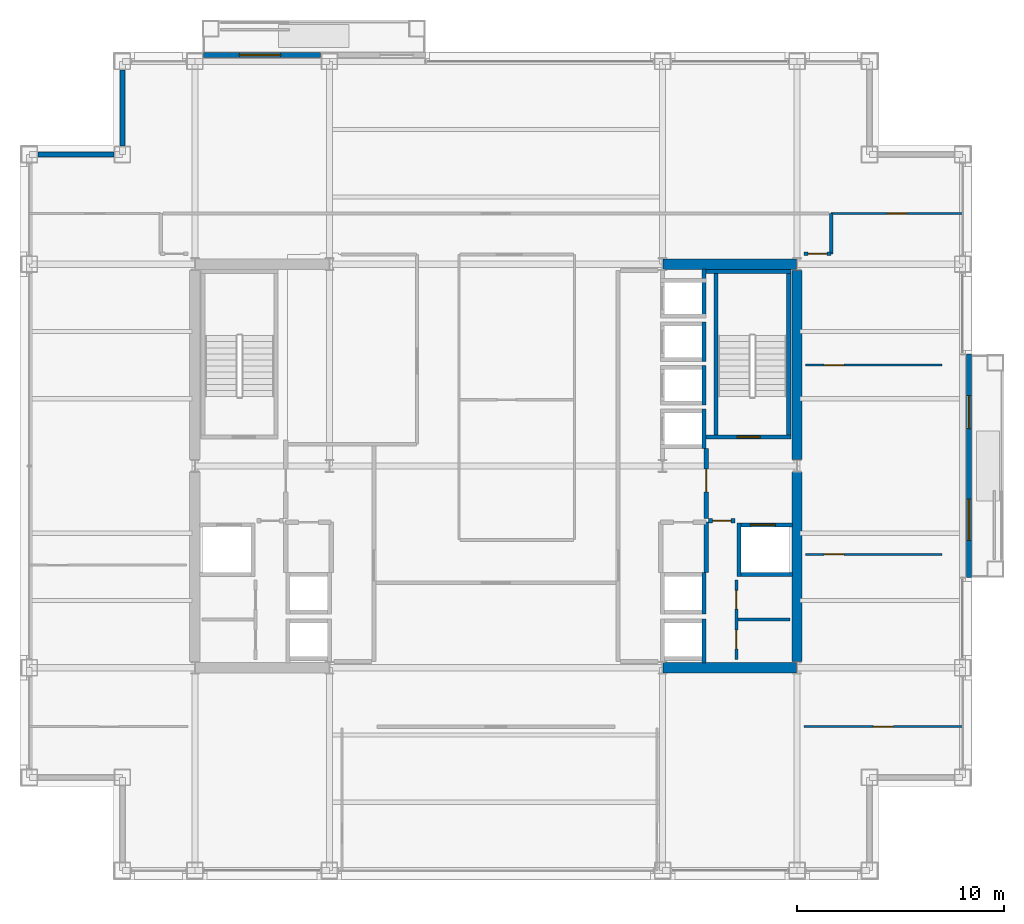
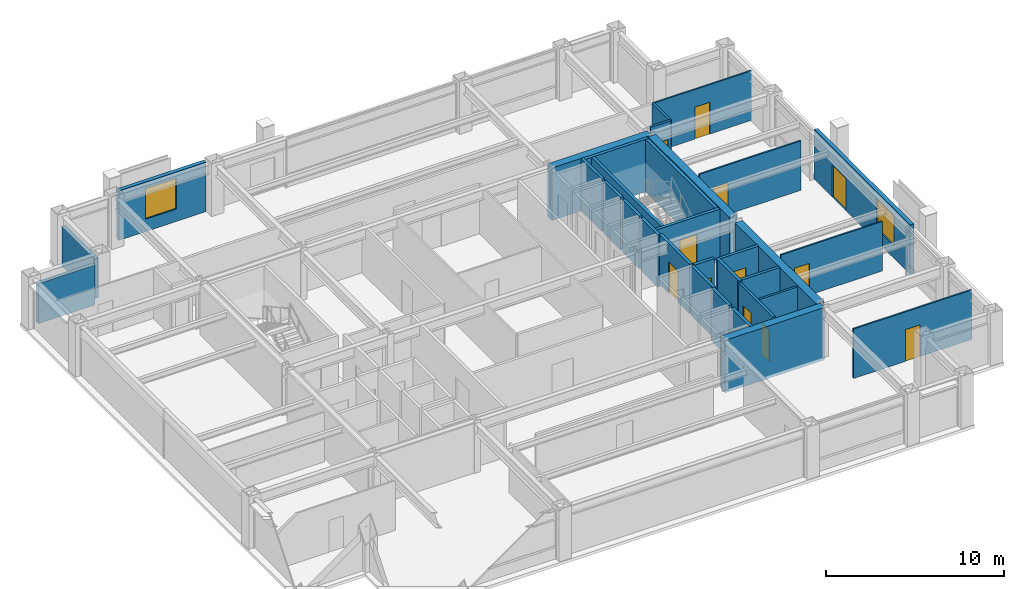
# One storey, part 26 of 29: 32 walls, 12 doors, 2 windows, 14 openings.
"""IFC4 building model written with IfcOpenShell, lengths in metres."""

from ifc_helpers import new_model, si_unit, direction, frame, frame_2d, origin, place, context, subcontext, project, spatial, rectangle, extrude, material, layer, layer_set, type_object, element, fill, save


model = new_model("IFC4")

# Units and contexts
model_context = context("Model", 3, precision=1e-05, world=origin(), true_north=direction((0.0, 1.0)))
body_context = subcontext(model_context, "Body", "Model", "MODEL_VIEW")
ifc_project = project(units=[si_unit("LENGTHUNIT", "METRE"), si_unit("AREAUNIT", "SQUARE_METRE"), si_unit("VOLUMEUNIT", "CUBIC_METRE"), si_unit("PLANEANGLEUNIT", "RADIAN"), si_unit("MASSUNIT", "GRAM", prefix="KILO")], contexts=[model_context])

# Site, building, storey
site_placement = place(None, origin())
site = spatial("IfcSite", under=ifc_project, at=site_placement, CompositionType="ELEMENT")
building_placement = place(site_placement, origin())
building = spatial("IfcBuilding", under=site, at=building_placement, Name="Brelmoor Portico Tower", CompositionType="ELEMENT")
storey_placement = place(building_placement, frame((0.0, 0.0, 127.800048828125)))
storey = spatial("IfcBuildingStorey", under=building, at=storey_placement, Name="L33", CompositionType="ELEMENT", Elevation=127.800048828125)

# Walls
ifc_material_1 = material(Name="Concrete C60", Category="concrete")
ifc_layer_1 = layer(ifc_material_1, 0.5)
ifc_layer_set_1 = layer_set([ifc_layer_1], Name="Concrete C60")
wall_type_1 = type_object("IfcWallType", Name="WL-CORE-500", PredefinedType="SHEAR", material=ifc_layer_set_1)
for number, where, z_axis, x_axis, name in (
    (1, (8.070068359375, -9.75, -0.199951171875), (0.0, 0.0, 1.0), (1.0, 0.0, 0.0), "L33 EC South Shear Wall"),
    (2, (8.070068359375, 9.75, -0.199951171875), (0.0, 0.0, 1.0), (1.0, 0.0, 0.0), "L33 EC North Shear Wall"),
):
    element("IfcWall", number, at=place(storey_placement, frame(where, z_axis=z_axis, x_axis=x_axis)), inside=storey, type_object=wall_type_1, Name=name, PredefinedType="SHEAR", context=body_context, shape_type="SweptSolid", body=[
        extrude(rectangle(XDim=6.4599609375, YDim=0.5, at=frame_2d((3.22998046875, 0.0))), origin(), (0.0, 0.0, 1.0), 3.599853515625),
    ])
for number, where, z_axis, x_axis, name in (
    (3, (14.550048828125, -9.449951171875, -0.199951171875), (0.0, 0.0, 1.0), (0.0, 1.0, 0.0), "L33 EC Outer South Shear Wall"),
    (4, (14.550048828125, 0.300048828125, -0.199951171875), (0.0, 0.0, 1.0), (0.0, 1.0, 0.0), "L33 EC Outer North Shear Wall"),
):
    element("IfcWall", number, at=place(storey_placement, frame(where, z_axis=z_axis, x_axis=x_axis)), inside=storey, type_object=wall_type_1, Name=name, PredefinedType="SHEAR", context=body_context, shape_type="SweptSolid", body=[
        extrude(rectangle(XDim=9.14990234375, YDim=0.5, at=frame_2d((4.574951171875, 0.0))), origin(), (0.0, 0.0, 1.0), 3.599853515625),
    ])

# Wall, opening, window
ifc_material_2 = material(Name="Precast Concrete C40 Insulated Facade Wall", Category="concrete")
ifc_layer_2 = layer(ifc_material_2, 0.25)
ifc_layer_set_2 = layer_set([ifc_layer_2], Name="Precast Concrete C40 Insulated Facade Wall")
wall_type_2 = type_object("IfcWallType", Name="WL-EXT-250", PredefinedType="STANDARD", material=ifc_layer_set_2)
wall_1_placement = place(storey_placement, frame((-14.1298828125, 19.860107421875, 0.0), z_axis=(0.0, 0.0, 1.0), x_axis=(1.0, 0.0, 0.0)))
wall_1 = element("IfcWall", 5, at=wall_1_placement, inside=storey, type_object=wall_type_2, Name="L33 Loggia Threshold Wall N-1", PredefinedType="STANDARD", context=body_context, shape_type="SweptSolid", body=[
    extrude(rectangle(XDim=5.659912109375, YDim=0.25, at=frame_2d((2.830078125, 0.0))), origin(), (0.0, 0.0, 1.0), 3.39990234375),
])
opening_1_placement = place(wall_1_placement, frame((1.72998046875, 0.0, 0.85009765625)))
opening_1 = element("IfcOpeningElement", 6, at=opening_1_placement, cuts=wall_1, Name="Opening W-03", PredefinedType="OPENING", context=body_context, shape_type="SweptSolid", body=[
    extrude(rectangle(XDim=2.0, YDim=2.10009765625, at=frame_2d((1.0, 1.050048828125))), frame((0.0, 0.135009765625, 0.0), z_axis=(0.0, -1.0, 0.0), x_axis=(1.0, 0.0, 0.0)), (0.0, 0.0, 1.0), 0.27001953125),
])
ifc_material_3 = material(Name="Thermally Broken Aluminium Low-E Window", Category="aluminium")
window_type = type_object("IfcWindowType", Name="WN-LOGGIA-2000x2100", PartitioningType="SINGLE_PANEL", PredefinedType="WINDOW", material=ifc_material_3)
window_1_placement = place(opening_1_placement, origin())
window_1 = element("IfcWindow", 7, at=window_1_placement, inside=storey, type_object=window_type, Name="L33 Loggia Window N", OverallHeight=2.10009765625, OverallWidth=2.0, PartitioningType="SINGLE_PANEL", PredefinedType="WINDOW", context=body_context, shape_type="SweptSolid", body=[
    extrude(rectangle(XDim=2.0, YDim=2.10009765625, at=frame_2d((1.0, 1.050048828125))), frame((0.0, 0.030029296875, 0.0), z_axis=(0.0, -1.0, 0.0), x_axis=(1.0, 0.0, 0.0)), (0.0, 0.0, 1.0), 0.06005859375),
])
fill(opening_1, window_1)

# Wall, openings, door, window
wall_2_placement = place(storey_placement, frame((22.860107421875, -5.39990234375, 0.0), z_axis=(0.0, 0.0, 1.0), x_axis=(0.0, 1.0, 0.0)))
wall_2 = element("IfcWall", 8, at=wall_2_placement, inside=storey, type_object=wall_type_2, Name="L33 Loggia Threshold Wall E-1", PredefinedType="STANDARD", context=body_context, shape_type="SweptSolid", body=[
    extrude(rectangle(XDim=10.7998046875, YDim=0.25, at=frame_2d((5.39990234375, 0.0))), origin(), (0.0, 0.0, 1.0), 3.39990234375),
])
opening_2_placement = place(wall_2_placement, frame((7.199951171875, 0.0, 0.0)))
opening_2 = element("IfcOpeningElement", 9, at=opening_2_placement, cuts=wall_2, Name="Opening D-TB1", PredefinedType="OPENING", context=body_context, shape_type="SweptSolid", body=[
    extrude(rectangle(XDim=1.60009765625, YDim=2.199951171875, at=frame_2d((0.800048828125, 1.10009765625))), frame((0.0, 0.135009765625, 0.0), z_axis=(0.0, -1.0, 0.0), x_axis=(1.0, 0.0, 0.0)), (0.0, 0.0, 1.0), 0.27001953125),
])
opening_3_placement = place(wall_2_placement, frame((1.800048828125, 0.0, 0.85009765625)))
opening_3 = element("IfcOpeningElement", 10, at=opening_3_placement, cuts=wall_2, Name="Opening W-03", PredefinedType="OPENING", context=body_context, shape_type="SweptSolid", body=[
    extrude(rectangle(XDim=2.0, YDim=2.10009765625, at=frame_2d((1.0, 1.050048828125))), frame((0.0, 0.135009765625, 0.0), z_axis=(0.0, -1.0, 0.0), x_axis=(1.0, 0.0, 0.0)), (0.0, 0.0, 1.0), 0.27001953125),
])
ifc_material_4 = material(Name="Double-Leaf Thermally Broken Terrace Door", Category="aluminium")
door_type_1 = type_object("IfcDoorType", Name="DR-BALCONY-1600", OperationType="NOTDEFINED", PredefinedType="DOOR", material=ifc_material_4)
door_1_placement = place(opening_2_placement, origin())
door_1 = element("IfcDoor", 11, at=door_1_placement, inside=storey, type_object=door_type_1, Name="D-1459 L33 Tree Balcony Double Door E", OperationType="DOUBLE_DOOR_SINGLE_SWING", OverallHeight=2.199951171875, OverallWidth=1.60009765625, PredefinedType="DOOR", context=body_context, shape_type="SweptSolid", body=[
    extrude(rectangle(XDim=1.60009765625, YDim=2.199951171875, at=frame_2d((0.800048828125, 1.10009765625))), frame((0.0, 0.02490234375, 0.0), z_axis=(0.0, -1.0, 0.0), x_axis=(1.0, 0.0, 0.0)), (0.0, 0.0, 1.0), 0.050048828125),
])
fill(opening_2, door_1)
window_2_placement = place(opening_3_placement, origin())
window_2 = element("IfcWindow", 12, at=window_2_placement, inside=storey, type_object=window_type, Name="L33 Loggia Window E", OverallHeight=2.10009765625, OverallWidth=2.0, PartitioningType="SINGLE_PANEL", PredefinedType="WINDOW", context=body_context, shape_type="SweptSolid", body=[
    extrude(rectangle(XDim=2.0, YDim=2.10009765625, at=frame_2d((1.0, 1.050048828125))), frame((0.0, 0.030029296875, 0.0), z_axis=(0.0, -1.0, 0.0), x_axis=(1.0, 0.0, 0.0)), (0.0, 0.0, 1.0), 0.06005859375),
])
fill(opening_3, window_2)

# Walls
for number, where, z_axis, x_axis, name in (
    (13, (-22.139892578125, 15.050048828125, 0.0), (0.0, 0.0, 1.0), (1.0, 0.0, 0.0), "L33 Corner Notch Facade Wall NNWH1"),
    (14, (-18.050048828125, 15.4599609375, 0.0), (0.0, 0.0, 1.0), (0.0, 1.0, 0.0), "L33 Corner Notch Facade Wall NNWV1"),
):
    element("IfcWall", number, at=place(storey_placement, frame(where, z_axis=z_axis, x_axis=x_axis)), inside=storey, type_object=wall_type_2, Name=name, PredefinedType="STANDARD", context=body_context, shape_type="SweptSolid", body=[
        extrude(rectangle(XDim=3.679931640625, YDim=0.25, at=frame_2d((1.83984375, 0.0))), origin(), (0.0, 0.0, 1.0), 2.75),
    ])

# Wall, opening, door
ifc_material_5 = material(Name="Demountable Glazed Office Partition", Category="aluminium")
ifc_layer_3 = layer(ifc_material_5, 0.10009765625)
ifc_layer_set_3 = layer_set([ifc_layer_3], Name="Demountable Glazed Office Partition")
wall_type_3 = type_object("IfcWallType", Name="WL-PART-100", PredefinedType="PARTITIONING", material=ifc_layer_set_3)
wall_3_placement = place(storey_placement, frame((16.199951171875, 12.199951171875, 0.0), z_axis=(0.0, 0.0, 1.0), x_axis=(1.0, 0.0, 0.0)))
wall_3 = element("IfcWall", 15, at=wall_3_placement, inside=storey, type_object=wall_type_3, Name="L33 North Wing Closure ER", PredefinedType="PARTITIONING", context=body_context, shape_type="SweptSolid", body=[
    extrude(rectangle(XDim=6.360107421875, YDim=0.10009765625, at=frame_2d((3.18017578125, 0.0))), origin(), (0.0, 0.0, 1.0), 3.39990234375),
])
opening_4_placement = place(wall_3_placement, frame((2.699951171875, 0.0, 0.0)))
opening_4 = element("IfcOpeningElement", 16, at=opening_4_placement, cuts=wall_3, Name="Opening D-IN2", PredefinedType="OPENING", context=body_context, shape_type="SweptSolid", body=[
    extrude(rectangle(XDim=0.9599609375, YDim=2.179931640625, at=frame_2d((0.47998046875, 1.08984375))), frame((0.0, 0.06005859375, 0.0), z_axis=(0.0, -1.0, 0.0), x_axis=(1.0, 0.0, 0.0)), (0.0, 0.0, 1.0), 0.1201171875),
])
ifc_material_6 = material(Name="Lacquered Timber Suite Door", Category="wood")
door_type_2 = type_object("IfcDoorType", Name="DR-INT-950", OperationType="NOTDEFINED", PredefinedType="DOOR", material=ifc_material_6)
door_2_placement = place(opening_4_placement, origin())
door_2 = element("IfcDoor", 17, at=door_2_placement, inside=storey, type_object=door_type_2, Name="D-1449 L33 ER Wing North Suite Door", OperationType="SINGLE_SWING_RIGHT", OverallHeight=2.179931640625, OverallWidth=0.9599609375, PredefinedType="DOOR", context=body_context, shape_type="SweptSolid", body=[
    extrude(rectangle(XDim=0.9599609375, YDim=2.179931640625, at=frame_2d((0.47998046875, 1.08984375))), frame((0.0, 0.02490234375, 0.0), z_axis=(0.0, -1.0, 0.0), x_axis=(1.0, 0.0, 0.0)), (0.0, 0.0, 1.0), 0.050048828125),
])
fill(opening_4, door_2)

wall_4_placement = place(storey_placement, frame((14.8798828125, -12.60009765625, 0.0), z_axis=(0.0, 0.0, 1.0), x_axis=(1.0, 0.0, 0.0)))
wall_4 = element("IfcWall", 18, at=wall_4_placement, inside=storey, type_object=wall_type_3, Name="L33 South Wing Closure ER", PredefinedType="PARTITIONING", context=body_context, shape_type="SweptSolid", body=[
    extrude(rectangle(XDim=7.68017578125, YDim=0.10009765625, at=frame_2d((3.840087890625, 0.0))), origin(), (0.0, 0.0, 1.0), 3.39990234375),
])
opening_5_placement = place(wall_4_placement, frame((3.360107421875, 0.0, 0.0)))
opening_5 = element("IfcOpeningElement", 19, at=opening_5_placement, cuts=wall_4, Name="Opening D-IN2", PredefinedType="OPENING", context=body_context, shape_type="SweptSolid", body=[
    extrude(rectangle(XDim=0.9599609375, YDim=2.179931640625, at=frame_2d((0.47998046875, 1.08984375))), frame((0.0, 0.06005859375, 0.0), z_axis=(0.0, -1.0, 0.0), x_axis=(1.0, 0.0, 0.0)), (0.0, 0.0, 1.0), 0.1201171875),
])
door_3_placement = place(opening_5_placement, origin())
door_3 = element("IfcDoor", 20, at=door_3_placement, inside=storey, type_object=door_type_2, Name="D-1457 L33 ER Wing South Suite Door", OperationType="SINGLE_SWING_LEFT", OverallHeight=2.179931640625, OverallWidth=0.9599609375, PredefinedType="DOOR", context=body_context, shape_type="SweptSolid", body=[
    extrude(rectangle(XDim=0.9599609375, YDim=2.179931640625, at=frame_2d((0.47998046875, 1.08984375))), frame((0.0, 0.02490234375, 0.0), z_axis=(0.0, -1.0, 0.0), x_axis=(1.0, 0.0, 0.0)), (0.0, 0.0, 1.0), 0.050048828125),
])
fill(opening_5, door_3)

wall_5_placement = place(storey_placement, frame((14.9599609375, -4.27001953125, 0.0), z_axis=(0.0, 0.0, 1.0), x_axis=(1.0, 0.0, 0.0)))
wall_5 = element("IfcWall", 21, at=wall_5_placement, inside=storey, type_object=wall_type_3, Name="L33 E Wing Partition 1", PredefinedType="PARTITIONING", context=body_context, shape_type="SweptSolid", body=[
    extrude(rectangle(XDim=6.590087890625, YDim=0.10009765625, at=frame_2d((3.294921875, 0.0))), origin(), (0.0, 0.0, 1.0), 3.39990234375),
])
opening_6_placement = place(wall_5_placement, frame((0.89990234375, 0.0, 0.0)))
opening_6 = element("IfcOpeningElement", 22, at=opening_6_placement, cuts=wall_5, Name="Opening D-IN2", PredefinedType="OPENING", context=body_context, shape_type="SweptSolid", body=[
    extrude(rectangle(XDim=0.9599609375, YDim=2.179931640625, at=frame_2d((0.47998046875, 1.08984375))), frame((0.0, 0.06005859375, 0.0), z_axis=(0.0, -1.0, 0.0), x_axis=(1.0, 0.0, 0.0)), (0.0, 0.0, 1.0), 0.1201171875),
])
door_4_placement = place(opening_6_placement, origin())
door_4 = element("IfcDoor", 23, at=door_4_placement, inside=storey, type_object=door_type_2, Name="D-1461 L33 E Wing Suite Connecting Door 1", OperationType="SINGLE_SWING_LEFT", OverallHeight=2.179931640625, OverallWidth=0.9599609375, PredefinedType="DOOR", context=body_context, shape_type="SweptSolid", body=[
    extrude(rectangle(XDim=0.9599609375, YDim=2.179931640625, at=frame_2d((0.47998046875, 1.08984375))), frame((0.0, 0.02490234375, 0.0), z_axis=(0.0, -1.0, 0.0), x_axis=(1.0, 0.0, 0.0)), (0.0, 0.0, 1.0), 0.050048828125),
])
fill(opening_6, door_4)

wall_6_placement = place(storey_placement, frame((14.9599609375, 4.8701171875, 0.0), z_axis=(0.0, 0.0, 1.0), x_axis=(1.0, 0.0, 0.0)))
wall_6 = element("IfcWall", 24, at=wall_6_placement, inside=storey, type_object=wall_type_3, Name="L33 E Wing Partition 2", PredefinedType="PARTITIONING", context=body_context, shape_type="SweptSolid", body=[
    extrude(rectangle(XDim=6.590087890625, YDim=0.10009765625, at=frame_2d((3.294921875, 0.0))), origin(), (0.0, 0.0, 1.0), 3.39990234375),
])
opening_7_placement = place(wall_6_placement, frame((0.89990234375, 0.0, 0.0)))
opening_7 = element("IfcOpeningElement", 25, at=opening_7_placement, cuts=wall_6, Name="Opening D-IN2", PredefinedType="OPENING", context=body_context, shape_type="SweptSolid", body=[
    extrude(rectangle(XDim=0.9599609375, YDim=2.179931640625, at=frame_2d((0.47998046875, 1.08984375))), frame((0.0, 0.06005859375, 0.0), z_axis=(0.0, -1.0, 0.0), x_axis=(1.0, 0.0, 0.0)), (0.0, 0.0, 1.0), 0.1201171875),
])
door_5_placement = place(opening_7_placement, origin())
door_5 = element("IfcDoor", 26, at=door_5_placement, inside=storey, type_object=door_type_2, Name="D-1462 L33 E Wing Suite Connecting Door 2", OperationType="SINGLE_SWING_RIGHT", OverallHeight=2.179931640625, OverallWidth=0.9599609375, PredefinedType="DOOR", context=body_context, shape_type="SweptSolid", body=[
    extrude(rectangle(XDim=0.9599609375, YDim=2.179931640625, at=frame_2d((0.47998046875, 1.08984375))), frame((0.0, 0.02490234375, 0.0), z_axis=(0.0, -1.0, 0.0), x_axis=(1.0, 0.0, 0.0)), (0.0, 0.0, 1.0), 0.050048828125),
])
fill(opening_7, door_5)

# Wall
ifc_material_7 = material(Name="Insulated Stud Suite Partition", Category="gypsum")
ifc_layer_4 = layer(ifc_material_7, 0.139892578125)
ifc_layer_set_4 = layer_set([ifc_layer_4], Name="Insulated Stud Suite Partition")
wall_type_4 = type_object("IfcWallType", Name="WL-PART-140", PredefinedType="PARTITIONING", material=ifc_layer_set_4)
wall_7_placement = place(storey_placement, frame((11.699951171875, -7.425048828125, 0.0), z_axis=(0.0, 0.0, 1.0), x_axis=(1.0, 0.0, 0.0)))
element("IfcWall", 27, at=wall_7_placement, inside=storey, type_object=wall_type_4, Name="L33 E Core WC Divider 1", PredefinedType="PARTITIONING", context=body_context, shape_type="SweptSolid", body=[
    extrude(rectangle(XDim=2.5, YDim=0.139892578125, at=frame_2d((1.25, 0.0))), origin(), (0.0, 0.0, 1.0), 3.39990234375),
])

# Wall, openings, doors
ifc_material_8 = material(Name="Twin-Frame Acoustic Partition", Category="gypsum")
ifc_layer_5 = layer(ifc_material_8, 0.159912109375)
ifc_layer_set_5 = layer_set([ifc_layer_5], Name="Twin-Frame Acoustic Partition")
wall_type_5 = type_object("IfcWallType", Name="WL-PART-160", PredefinedType="PARTITIONING", material=ifc_layer_set_5)
wall_8_placement = place(storey_placement, frame((11.6201171875, -9.35009765625, 0.0), z_axis=(0.0, 0.0, 1.0), x_axis=(0.0, 1.0, 0.0)))
wall_8 = element("IfcWall", 28, at=wall_8_placement, inside=storey, type_object=wall_type_5, Name="L33 E Core Service Front Wall", PredefinedType="PARTITIONING", context=body_context, shape_type="SweptSolid", body=[
    extrude(rectangle(XDim=3.85009765625, YDim=0.159912109375, at=frame_2d((1.925048828125, 0.0))), origin(), (0.0, 0.0, 1.0), 3.39990234375),
])
opening_8_placement = place(wall_8_placement, frame((0.512451171875, 0.0, 0.0)))
opening_8 = element("IfcOpeningElement", 29, at=opening_8_placement, cuts=wall_8, Name="Opening D-IN1", PredefinedType="OPENING", context=body_context, shape_type="SweptSolid", body=[
    extrude(rectangle(XDim=0.89990234375, YDim=2.14990234375, at=frame_2d((0.449951171875, 1.074951171875))), frame((0.0, 0.08984375, 0.0), z_axis=(0.0, -1.0, 0.0), x_axis=(1.0, 0.0, 0.0)), (0.0, 0.0, 1.0), 0.179931640625),
])
opening_9_placement = place(wall_8_placement, frame((2.4375, 0.0, 0.0)))
opening_9 = element("IfcOpeningElement", 30, at=opening_9_placement, cuts=wall_8, Name="Opening D-IN1", PredefinedType="OPENING", context=body_context, shape_type="SweptSolid", body=[
    extrude(rectangle(XDim=0.89990234375, YDim=2.14990234375, at=frame_2d((0.449951171875, 1.074951171875))), frame((0.0, 0.08984375, 0.0), z_axis=(0.0, -1.0, 0.0), x_axis=(1.0, 0.0, 0.0)), (0.0, 0.0, 1.0), 0.179931640625),
])
door_type_3 = type_object("IfcDoorType", Name="DR-INT-900", OperationType="NOTDEFINED", PredefinedType="DOOR", material=ifc_material_6)
door_6_placement = place(opening_8_placement, origin())
door_6 = element("IfcDoor", 31, at=door_6_placement, inside=storey, type_object=door_type_3, Name="D-1436 L33 E Male WC Door", OperationType="SINGLE_SWING_RIGHT", OverallHeight=2.14990234375, OverallWidth=0.89990234375, PredefinedType="DOOR", context=body_context, shape_type="SweptSolid", body=[
    extrude(rectangle(XDim=0.89990234375, YDim=2.14990234375, at=frame_2d((0.449951171875, 1.074951171875))), frame((0.0, 0.02490234375, 0.0), z_axis=(0.0, -1.0, 0.0), x_axis=(1.0, 0.0, 0.0)), (0.0, 0.0, 1.0), 0.050048828125),
])
fill(opening_8, door_6)
door_7_placement = place(opening_9_placement, origin())
door_7 = element("IfcDoor", 32, at=door_7_placement, inside=storey, type_object=door_type_3, Name="D-1437 L33 E Female WC Door", OperationType="SINGLE_SWING_LEFT", OverallHeight=2.14990234375, OverallWidth=0.89990234375, PredefinedType="DOOR", context=body_context, shape_type="SweptSolid", body=[
    extrude(rectangle(XDim=0.89990234375, YDim=2.14990234375, at=frame_2d((0.449951171875, 1.074951171875))), frame((0.0, 0.02490234375, 0.0), z_axis=(0.0, -1.0, 0.0), x_axis=(1.0, 0.0, 0.0)), (0.0, 0.0, 1.0), 0.050048828125),
])
fill(opening_9, door_7)

# Wall, opening, door
wall_9_placement = place(storey_placement, frame((14.8798828125, 10.25, 0.0), z_axis=(0.0, 0.0, 1.0), x_axis=(1.0, 0.0, 0.0)))
wall_9 = element("IfcWall", 33, at=wall_9_placement, inside=storey, type_object=wall_type_5, Name="L33 E Wing North Entry Wall", PredefinedType="PARTITIONING", context=body_context, shape_type="SweptSolid", body=[
    extrude(rectangle(XDim=1.320068359375, YDim=0.159912109375, at=frame_2d((0.66015625, 0.0))), origin(), (0.0, 0.0, 1.0), 3.39990234375),
])
opening_10_placement = place(wall_9_placement, frame((0.2099609375, 0.0, 0.0)))
opening_10 = element("IfcOpeningElement", 34, at=opening_10_placement, cuts=wall_9, Name="Opening D-IN1", PredefinedType="OPENING", context=body_context, shape_type="SweptSolid", body=[
    extrude(rectangle(XDim=0.89990234375, YDim=2.14990234375, at=frame_2d((0.449951171875, 1.074951171875))), frame((0.0, 0.08984375, 0.0), z_axis=(0.0, -1.0, 0.0), x_axis=(1.0, 0.0, 0.0)), (0.0, 0.0, 1.0), 0.179931640625),
])
door_8_placement = place(opening_10_placement, origin())
door_8 = element("IfcDoor", 35, at=door_8_placement, inside=storey, type_object=door_type_3, Name="D-1463 L33 E Wing Entry Door", OperationType="SINGLE_SWING_RIGHT", OverallHeight=2.14990234375, OverallWidth=0.89990234375, PredefinedType="DOOR", context=body_context, shape_type="SweptSolid", body=[
    extrude(rectangle(XDim=0.89990234375, YDim=2.14990234375, at=frame_2d((0.449951171875, 1.074951171875))), frame((0.0, 0.02490234375, 0.0), z_axis=(0.0, -1.0, 0.0), x_axis=(1.0, 0.0, 0.0)), (0.0, 0.0, 1.0), 0.050048828125),
])
fill(opening_10, door_8)

# Wall
wall_10_placement = place(storey_placement, frame((16.199951171875, 10.25, 0.0), z_axis=(0.0, 0.0, 1.0), x_axis=(0.0, 1.0, 0.0)))
element("IfcWall", 36, at=wall_10_placement, inside=storey, type_object=wall_type_5, Name="L33 E Corridor End Closure", PredefinedType="PARTITIONING", context=body_context, shape_type="SweptSolid", body=[
    extrude(rectangle(XDim=1.949951171875, YDim=0.159912109375, at=frame_2d((0.97509765625, 0.0))), origin(), (0.0, 0.0, 1.0), 3.39990234375),
])

# Wall, opening, door
ifc_material_9 = material(Name="Double-Stud Gypsum Fire Partition", Category="gypsum")
ifc_layer_6 = layer(ifc_material_9, 0.199951171875)
ifc_layer_set_6 = layer_set([ifc_layer_6], Name="Double-Stud Gypsum Fire Partition")
wall_type_6 = type_object("IfcWallType", Name="WL-PART-200", PredefinedType="PARTITIONING", material=ifc_layer_set_6)
wall_11_placement = place(storey_placement, frame((10.159912109375, -2.550048828125, 0.0), z_axis=(0.0, 0.0, 1.0), x_axis=(0.0, 1.0, 0.0)))
wall_11 = element("IfcWall", 37, at=wall_11_placement, inside=storey, type_object=wall_type_6, Name="L33 E Firefighting Lobby Wall", PredefinedType="PARTITIONING", context=body_context, shape_type="SweptSolid", body=[
    extrude(rectangle(XDim=3.400146484375, YDim=0.199951171875, at=frame_2d((1.7001953125, 0.0))), origin(), (0.0, 0.0, 1.0), 3.39990234375),
])
opening_11_placement = place(wall_11_placement, frame((1.300048828125, 0.0, 0.0)))
opening_11 = element("IfcOpeningElement", 38, at=opening_11_placement, cuts=wall_11, Name="Opening D-FR1", PredefinedType="OPENING", context=body_context, shape_type="SweptSolid", body=[
    extrude(rectangle(XDim=1.10009765625, YDim=2.14990234375, at=frame_2d((0.550048828125, 1.074951171875))), frame((0.0, 0.10986328125, 0.0), z_axis=(0.0, -1.0, 0.0), x_axis=(1.0, 0.0, 0.0)), (0.0, 0.0, 1.0), 0.219970703125),
])
ifc_material_10 = material(Name="Painted Galvanised Steel Fire Door", Category="steel")
door_type_4 = type_object("IfcDoorType", Name="DR-FIRE-1100", OperationType="NOTDEFINED", PredefinedType="DOOR", material=ifc_material_10)
door_9_placement = place(opening_11_placement, origin())
door_9 = element("IfcDoor", 39, at=door_9_placement, inside=storey, type_object=door_type_4, Name="D-1444 L33 E Firefighting Lobby Door", OperationType="SINGLE_SWING_LEFT", OverallHeight=2.14990234375, OverallWidth=1.10009765625, PredefinedType="DOOR", context=body_context, shape_type="SweptSolid", body=[
    extrude(rectangle(XDim=1.10009765625, YDim=2.14990234375, at=frame_2d((0.550048828125, 1.074951171875))), frame((0.0, 0.02490234375, 0.0), z_axis=(0.0, -1.0, 0.0), x_axis=(1.0, 0.0, 0.0)), (0.0, 0.0, 1.0), 0.050048828125),
])
fill(opening_11, door_9)

wall_12_placement = place(storey_placement, frame((10.280029296875, -2.64990234375, 0.0), z_axis=(0.0, 0.0, 1.0), x_axis=(1.0, 0.0, 0.0)))
wall_12 = element("IfcWall", 40, at=wall_12_placement, inside=storey, type_object=wall_type_6, Name="L33 E Firefighting Lobby South Wall", PredefinedType="PARTITIONING", context=body_context, shape_type="SweptSolid", body=[
    extrude(rectangle(XDim=1.27001953125, YDim=0.199951171875, at=frame_2d((0.635009765625, 0.0))), origin(), (0.0, 0.0, 1.0), 3.39990234375),
])
opening_12_placement = place(wall_12_placement, frame((0.18505859375, 0.0, 0.0)))
opening_12 = element("IfcOpeningElement", 41, at=opening_12_placement, cuts=wall_12, Name="Opening D-IN1", PredefinedType="OPENING", context=body_context, shape_type="SweptSolid", body=[
    extrude(rectangle(XDim=0.89990234375, YDim=2.14990234375, at=frame_2d((0.449951171875, 1.074951171875))), frame((0.0, 0.10986328125, 0.0), z_axis=(0.0, -1.0, 0.0), x_axis=(1.0, 0.0, 0.0)), (0.0, 0.0, 1.0), 0.219970703125),
])
door_10_placement = place(opening_12_placement, origin())
door_10 = element("IfcDoor", 42, at=door_10_placement, inside=storey, type_object=door_type_3, Name="D-1438 L33 E Core Service Vestibule Door", OperationType="SINGLE_SWING_RIGHT", OverallHeight=2.14990234375, OverallWidth=0.89990234375, PredefinedType="DOOR", context=body_context, shape_type="SweptSolid", body=[
    extrude(rectangle(XDim=0.89990234375, YDim=2.14990234375, at=frame_2d((0.449951171875, 1.074951171875))), frame((0.0, 0.02490234375, 0.0), z_axis=(0.0, -1.0, 0.0), x_axis=(1.0, 0.0, 0.0)), (0.0, 0.0, 1.0), 0.050048828125),
])
fill(opening_12, door_10)

# Walls
wall_13_placement = place(storey_placement, frame((10.159912109375, -5.159912109375, 0.0), z_axis=(0.0, 0.0, 1.0), x_axis=(0.0, 1.0, 0.0)))
element("IfcWall", 43, at=wall_13_placement, inside=storey, type_object=wall_type_6, Name="L33 E Electrical Switchgear Closet Outer Wall", PredefinedType="PARTITIONING", context=body_context, shape_type="SweptSolid", body=[
    extrude(rectangle(XDim=2.43994140625, YDim=0.199951171875, at=frame_2d((1.219970703125, 0.0))), origin(), (0.0, 0.0, 1.0), 3.39990234375),
])
ifc_material_11 = material(Name="Precast Concrete C40", Category="concrete")
ifc_layer_7 = layer(ifc_material_11, 0.18994140625)
ifc_layer_set_7 = layer_set([ifc_layer_7], Name="Precast Concrete C40")
wall_type_7 = type_object("IfcWallType", Name="WL-SHAFT-180", PredefinedType="SOLIDWALL", material=ifc_layer_set_7)
wall_14_placement = place(storey_placement, frame((10.054931640625, 0.85009765625, -0.199951171875), z_axis=(0.0, 0.0, 1.0), x_axis=(0.0, 1.0, 0.0)))
element("IfcWall", 44, at=wall_14_placement, inside=storey, type_object=wall_type_7, Name="L33 Lift PM1 Hoistway Back Wall", PredefinedType="SOLIDWALL", context=body_context, shape_type="SweptSolid", body=[
    extrude(rectangle(XDim=1.89990234375, YDim=0.18994140625, at=frame_2d((0.949951171875, 0.0))), origin(), (0.0, 0.0, 1.0), 3.599853515625),
])
wall_15_placement = place(storey_placement, frame((10.054931640625, 2.949951171875, -0.199951171875), z_axis=(0.0, 0.0, 1.0), x_axis=(0.0, 1.0, 0.0)))
element("IfcWall", 45, at=wall_15_placement, inside=storey, type_object=wall_type_7, Name="L33 Lift PM2 Hoistway Back Wall", PredefinedType="SOLIDWALL", context=body_context, shape_type="SweptSolid", body=[
    extrude(rectangle(XDim=1.900146484375, YDim=0.18994140625, at=frame_2d((0.9501953125, 0.0))), origin(), (0.0, 0.0, 1.0), 3.599853515625),
])
wall_16_placement = place(storey_placement, frame((10.054931640625, 5.050048828125, -0.199951171875), z_axis=(0.0, 0.0, 1.0), x_axis=(0.0, 1.0, 0.0)))
element("IfcWall", 46, at=wall_16_placement, inside=storey, type_object=wall_type_7, Name="L33 Lift PM3 Hoistway Back Wall", PredefinedType="SOLIDWALL", context=body_context, shape_type="SweptSolid", body=[
    extrude(rectangle(XDim=1.89990234375, YDim=0.18994140625, at=frame_2d((0.949951171875, 0.0))), origin(), (0.0, 0.0, 1.0), 3.599853515625),
])
wall_17_placement = place(storey_placement, frame((10.054931640625, 7.14990234375, -0.199951171875), z_axis=(0.0, 0.0, 1.0), x_axis=(0.0, 1.0, 0.0)))
element("IfcWall", 47, at=wall_17_placement, inside=storey, type_object=wall_type_7, Name="L33 Lift PM4 Hoistway Back Wall", PredefinedType="SOLIDWALL", context=body_context, shape_type="SweptSolid", body=[
    extrude(rectangle(XDim=2.3701171875, YDim=0.18994140625, at=frame_2d((1.18505859375, 0.0))), origin(), (0.0, 0.0, 1.0), 3.599853515625),
])
wall_18_placement = place(storey_placement, frame((10.054931640625, -9.52001953125, -0.199951171875), z_axis=(0.0, 0.0, 1.0), x_axis=(0.0, 1.0, 0.0)))
element("IfcWall", 48, at=wall_18_placement, inside=storey, type_object=wall_type_7, Name="L33 Lift PH3 Hoistway Back Wall", PredefinedType="SOLIDWALL", context=body_context, shape_type="SweptSolid", body=[
    extrude(rectangle(XDim=2.1201171875, YDim=0.18994140625, at=frame_2d((1.06005859375, 0.0))), origin(), (0.0, 0.0, 1.0), 3.599853515625),
])
wall_19_placement = place(storey_placement, frame((10.054931640625, -7.14990234375, -0.199951171875), z_axis=(0.0, 0.0, 1.0), x_axis=(0.0, 1.0, 0.0)))
element("IfcWall", 49, at=wall_19_placement, inside=storey, type_object=wall_type_7, Name="L33 Lift PH4 Hoistway Back Wall", PredefinedType="SOLIDWALL", context=body_context, shape_type="SweptSolid", body=[
    extrude(rectangle(XDim=2.0, YDim=0.18994140625, at=frame_2d((1.0, 0.0))), origin(), (0.0, 0.0, 1.0), 3.599853515625),
])

# Wall, opening, door
wall_20_placement = place(storey_placement, frame((11.64990234375, -2.844970703125, -0.199951171875), z_axis=(0.0, 0.0, 1.0), x_axis=(1.0, 0.0, 0.0)))
wall_20 = element("IfcWall", 50, at=wall_20_placement, inside=storey, type_object=wall_type_7, Name="L33 Lift FF2 Hoistway Front Wall", PredefinedType="SOLIDWALL", context=body_context, shape_type="SweptSolid", body=[
    extrude(rectangle(XDim=2.68017578125, YDim=0.18994140625, at=frame_2d((1.340087890625, 0.0))), origin(), (0.0, 0.0, 1.0), 3.599853515625),
])
opening_13_placement = place(wall_20_placement, frame((0.64990234375, 0.0, 0.199951171875)))
opening_13 = element("IfcOpeningElement", 51, at=opening_13_placement, cuts=wall_20, Name="Opening LD-02", PredefinedType="OPENING", context=body_context, shape_type="SweptSolid", body=[
    extrude(rectangle(XDim=1.199951171875, YDim=2.199951171875, at=frame_2d((0.60009765625, 1.10009765625))), frame((0.0, 0.10498046875, 0.0), z_axis=(0.0, -1.0, 0.0), x_axis=(1.0, 0.0, 0.0)), (0.0, 0.0, 1.0), 0.2099609375),
])
ifc_material_12 = material(Name="Brushed Stainless Steel Firefighting Lift Door", Category="steel")
door_type_5 = type_object("IfcDoorType", Name="DR-LIFT-1200", OperationType="NOTDEFINED", PredefinedType="DOOR", material=ifc_material_12)
door_11_placement = place(opening_13_placement, origin())
door_11 = element("IfcDoor", 52, at=door_11_placement, inside=storey, type_object=door_type_5, Name="D-1467 L33 Lift FF2 Sliding Landing Door", OperationType="SLIDING_TO_LEFT", OverallHeight=2.199951171875, OverallWidth=1.199951171875, PredefinedType="DOOR", context=body_context, shape_type="SweptSolid", body=[
    extrude(rectangle(XDim=1.199951171875, YDim=2.199951171875, at=frame_2d((0.60009765625, 1.10009765625))), frame((0.0, 0.02490234375, 0.0), z_axis=(0.0, -1.0, 0.0), x_axis=(1.0, 0.0, 0.0)), (0.0, 0.0, 1.0), 0.050048828125),
])
fill(opening_13, door_11)

# Walls
wall_21_placement = place(storey_placement, frame((11.64990234375, -5.2548828125, -0.199951171875), z_axis=(0.0, 0.0, 1.0), x_axis=(1.0, 0.0, 0.0)))
element("IfcWall", 53, at=wall_21_placement, inside=storey, type_object=wall_type_7, Name="L33 Firefighting Lift FF2 South Wall", PredefinedType="SOLIDWALL", context=body_context, shape_type="SweptSolid", body=[
    extrude(rectangle(XDim=2.68017578125, YDim=0.18994140625, at=frame_2d((1.340087890625, 0.0))), origin(), (0.0, 0.0, 1.0), 3.599853515625),
])
wall_22_placement = place(storey_placement, frame((11.7451171875, -5.35009765625, -0.199951171875), z_axis=(0.0, 0.0, 1.0), x_axis=(0.0, 1.0, 0.0)))
element("IfcWall", 54, at=wall_22_placement, inside=storey, type_object=wall_type_7, Name="L33 Firefighting Lift FF2 Inner Wall", PredefinedType="SOLIDWALL", context=body_context, shape_type="SweptSolid", body=[
    extrude(rectangle(XDim=2.60009765625, YDim=0.18994140625, at=frame_2d((1.300048828125, 0.0))), origin(), (0.0, 0.0, 1.0), 3.599853515625),
])
ifc_material_13 = material(Name="Concrete C40", Category="concrete")
ifc_layer_8 = layer(ifc_material_13, 0.199951171875)
ifc_layer_set_8 = layer_set([ifc_layer_8], Name="Concrete C40")
wall_type_8 = type_object("IfcWallType", Name="WL-SHAFT-RC200", PredefinedType="SOLIDWALL", material=ifc_layer_set_8)
wall_23_placement = place(storey_placement, frame((14.14990234375, 1.5, -0.199951171875), z_axis=(0.0, 0.0, 1.0), x_axis=(0.0, 1.0, 0.0)))
element("IfcWall", 55, at=wall_23_placement, inside=storey, type_object=wall_type_8, Name="L33 ST-E Structural Stair Wall Outer", PredefinedType="SOLIDWALL", context=body_context, shape_type="SweptSolid", body=[
    extrude(rectangle(XDim=7.800048828125, YDim=0.199951171875, at=frame_2d((3.89990234375, 0.0))), origin(), (0.0, 0.0, 1.0), 3.599853515625),
])

# Wall, opening, door
wall_24_placement = place(storey_placement, frame((10.14990234375, 1.39990234375, -0.199951171875), z_axis=(0.0, 0.0, 1.0), x_axis=(1.0, 0.0, 0.0)))
wall_24 = element("IfcWall", 56, at=wall_24_placement, inside=storey, type_object=wall_type_8, Name="L33 ST-E Structural Stair Wall S", PredefinedType="SOLIDWALL", context=body_context, shape_type="SweptSolid", body=[
    extrude(rectangle(XDim=4.10009765625, YDim=0.199951171875, at=frame_2d((2.050048828125, 0.0))), origin(), (0.0, 0.0, 1.0), 3.599853515625),
])
opening_14_placement = place(wall_24_placement, frame((1.5, 0.0, 0.199951171875)))
opening_14 = element("IfcOpeningElement", 57, at=opening_14_placement, cuts=wall_24, Name="Opening D-ST1", PredefinedType="OPENING", context=body_context, shape_type="SweptSolid", body=[
    extrude(rectangle(XDim=1.1201171875, YDim=2.179931640625, at=frame_2d((0.56005859375, 1.08984375))), frame((0.0, 0.10986328125, 0.0), z_axis=(0.0, -1.0, 0.0), x_axis=(1.0, 0.0, 0.0)), (0.0, 0.0, 1.0), 0.219970703125),
])
door_type_6 = type_object("IfcDoorType", Name="DR-STAIR-1100", OperationType="NOTDEFINED", PredefinedType="DOOR", material=ifc_material_10)
door_12_placement = place(opening_14_placement, origin())
door_12 = element("IfcDoor", 58, at=door_12_placement, inside=storey, type_object=door_type_6, Name="D-1455 L33 ST-E Protected Exit Stair Door", OperationType="SINGLE_SWING_RIGHT", OverallHeight=2.179931640625, OverallWidth=1.1201171875, PredefinedType="DOOR", context=body_context, shape_type="SweptSolid", body=[
    extrude(rectangle(XDim=1.1201171875, YDim=2.179931640625, at=frame_2d((0.56005859375, 1.08984375))), frame((0.0, 0.02490234375, 0.0), z_axis=(0.0, -1.0, 0.0), x_axis=(1.0, 0.0, 0.0)), (0.0, 0.0, 1.0), 0.050048828125),
])
fill(opening_14, door_12)

# Walls
wall_25_placement = place(storey_placement, frame((10.14990234375, 9.39990234375, -0.199951171875), z_axis=(0.0, 0.0, 1.0), x_axis=(1.0, 0.0, 0.0)))
element("IfcWall", 59, at=wall_25_placement, inside=storey, type_object=wall_type_8, Name="L33 ST-E Structural Stair Wall N", PredefinedType="SOLIDWALL", context=body_context, shape_type="SweptSolid", body=[
    extrude(rectangle(XDim=4.10009765625, YDim=0.199951171875, at=frame_2d((2.050048828125, 0.0))), origin(), (0.0, 0.0, 1.0), 3.599853515625),
])
wall_26_placement = place(storey_placement, frame((10.6298828125, 1.5, -0.199951171875), z_axis=(0.0, 0.0, 1.0), x_axis=(0.0, 1.0, 0.0)))
element("IfcWall", 60, at=wall_26_placement, inside=storey, type_object=wall_type_8, Name="L33 ST-E Structural Stair Wall Inner", PredefinedType="SOLIDWALL", context=body_context, shape_type="SweptSolid", body=[
    extrude(rectangle(XDim=7.800048828125, YDim=0.199951171875, at=frame_2d((3.89990234375, 0.0))), origin(), (0.0, 0.0, 1.0), 3.599853515625),
])

save(model, "model.ifc")
